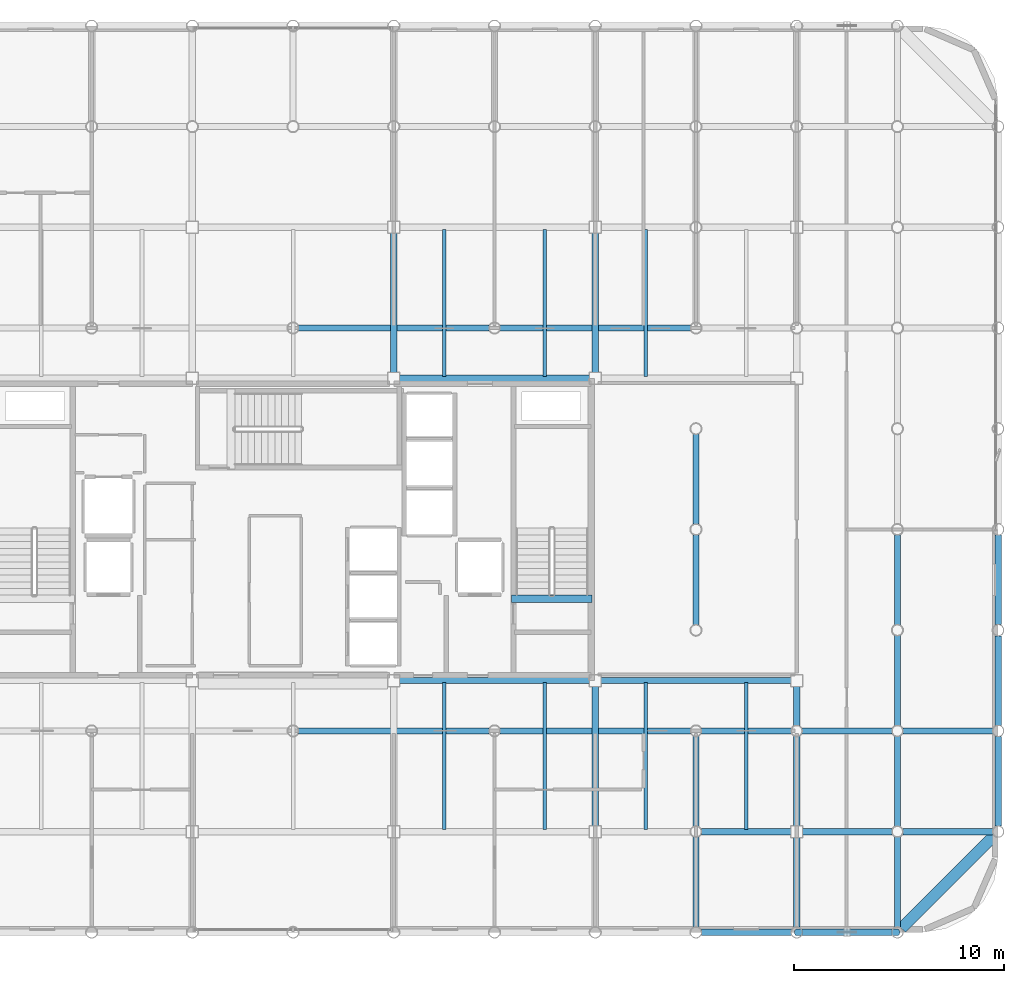
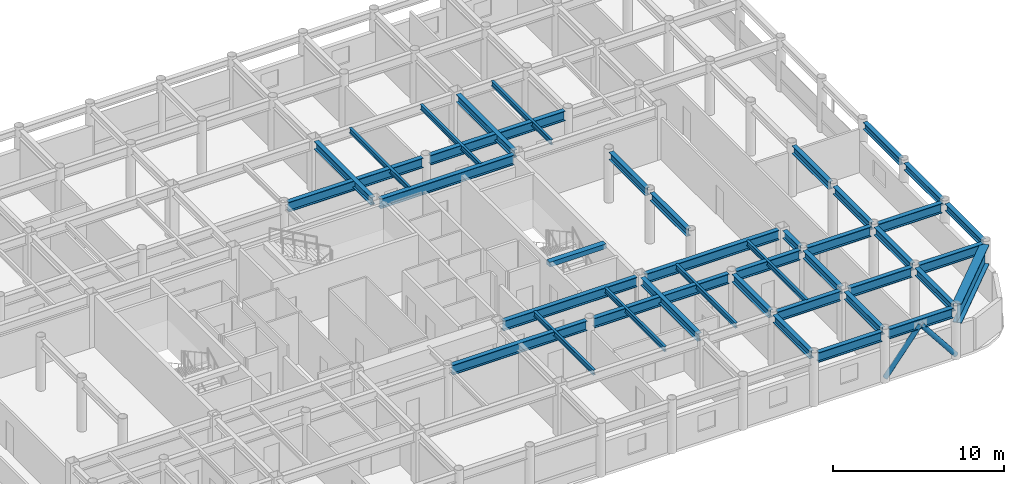
# One storey, part 9 of 22: 41 beams, 2 members.
"""IFC4 building model written with IfcOpenShell, lengths in metres."""

from ifc_helpers import new_model, si_unit, direction, frame, origin, origin_2d, place, context, subcontext, project, spatial, rectangle, hollow_circle, i_section, extrude, material, material_profile, profile_set, type_object, element, save


model = new_model("IFC4")

# Units and contexts
model_context = context("Model", 3, precision=1e-05, world=origin(), true_north=direction((0.0, 1.0)))
body_context = subcontext(model_context, "Body", "Model", "MODEL_VIEW")
ifc_project = project(units=[si_unit("LENGTHUNIT", "METRE"), si_unit("AREAUNIT", "SQUARE_METRE"), si_unit("VOLUMEUNIT", "CUBIC_METRE"), si_unit("PLANEANGLEUNIT", "RADIAN"), si_unit("MASSUNIT", "GRAM", prefix="KILO")], contexts=[model_context])

# Site, building, storey
site_placement = place(None, origin())
site = spatial("IfcSite", under=ifc_project, at=site_placement, CompositionType="ELEMENT")
building_placement = place(site_placement, origin())
building = spatial("IfcBuilding", under=site, at=building_placement, Name="Kallvorn Hotel Tower", CompositionType="ELEMENT")
storey_placement = place(building_placement, frame((0.0, 0.0, 241.550048828125)))
storey = spatial("IfcBuildingStorey", under=building, at=storey_placement, Name="L60", CompositionType="ELEMENT", Elevation=241.550048828125)

# Beams
ifc_material_1 = material(Name="Structural steel S355JR", Category="steel")
ifc_material_profile_1 = material_profile(ifc_material_1, i_section(OverallWidth=0.300048828125, OverallDepth=0.5, WebThickness=0.014404296875, FlangeThickness=0.028076171875, at=origin_2d()), Name="HE 500 B")
ifc_profile_set_1 = profile_set([ifc_material_profile_1], Name="Structural steel S355JR")
beam_type_1 = type_object("IfcBeamType", Name="BM_HE500B", PredefinedType="SPANDREL", material=ifc_profile_set_1)
beam_1_placement = place(storey_placement, frame((33.60009765625, -14.130615234375, 3.419921875), z_axis=(0.0, 1.0, 0.0), x_axis=(-1.0, 0.0, 0.0)))
element("IfcBeam", 1, at=beam_1_placement, inside=storey, type_object=beam_type_1, Name="L61 Perimeter Spandrel 182", PredefinedType="SPANDREL", context=body_context, shape_type="SweptSolid", body=[
    extrude(i_section(OverallWidth=0.300048828125, OverallDepth=0.5, WebThickness=0.014404296875, FlangeThickness=0.028076171875, at=origin_2d()), origin(), (0.0, 0.0, 1.0), 4.26123046875),
])
for number, where, z_axis, x_axis, name in (
    (2, (33.60009765625, -9.33056640625, 3.419921875), (0.0, 1.0, 0.0), (-1.0, 0.0, 0.0), "L61 Perimeter Spandrel 183"),
    (3, (33.60009765625, -4.530517578125, 3.419921875), (0.0, 1.0, 0.0), (-1.0, 0.0, 0.0), "L61 Perimeter Spandrel 184"),
):
    element("IfcBeam", number, at=place(storey_placement, frame(where, z_axis=z_axis, x_axis=x_axis)), inside=storey, type_object=beam_type_1, Name=name, PredefinedType="SPANDREL", context=body_context, shape_type="SweptSolid", body=[
        extrude(i_section(OverallWidth=0.300048828125, OverallDepth=0.5, WebThickness=0.014404296875, FlangeThickness=0.028076171875, at=origin_2d()), origin(), (0.0, 0.0, 1.0), 4.260986328125),
    ])
ifc_material_2 = material(Name="Structural steel S355JR", Category="steel")
ifc_material_profile_2 = material_profile(ifc_material_2, i_section(OverallWidth=0.300048828125, OverallDepth=0.550048828125, WebThickness=0.014892578125, FlangeThickness=0.029052734375, at=origin_2d()), Name="HE 550 B")
ifc_profile_set_2 = profile_set([ifc_material_profile_2], Name="Structural steel S355JR")
beam_type_2 = type_object("IfcBeamType", Name="BM_HE550B", PredefinedType="SPANDREL", material=ifc_profile_set_2)
for number, where, z_axis, x_axis, name in (
    (4, (4.800048828125, 7.47509765625, 3.39501953125), (0.0, 1.0, 0.0), (-1.0, 0.0, 0.0), "L61 Primary Y-Girder 115"),
    (5, (14.39990234375, -14.125, 3.39501953125), (0.0, 1.0, 0.0), (-1.0, 0.0, 0.0), "L61 Primary Y-Girder 122"),
    (6, (14.39990234375, 7.47509765625, 3.39501953125), (0.0, 1.0, 0.0), (-1.0, 0.0, 0.0), "L61 Primary Y-Girder 123"),
):
    element("IfcBeam", number, at=place(storey_placement, frame(where, z_axis=z_axis, x_axis=x_axis)), inside=storey, type_object=beam_type_2, Name=name, PredefinedType="SPANDREL", context=body_context, shape_type="SweptSolid", body=[
        extrude(i_section(OverallWidth=0.300048828125, OverallDepth=0.550048828125, WebThickness=0.014892578125, FlangeThickness=0.029052734375, at=origin_2d()), origin(), (0.0, 0.0, 1.0), 6.64990234375),
    ])
for number, where, z_axis, x_axis, name in (
    (7, (19.199951171875, -18.945556640625, 3.39501953125), (0.0, 1.0, 0.0), (-1.0, 0.0, 0.0), "L61 Primary Y-Girder 126"),
    (8, (19.199951171875, -14.1455078125, 3.39501953125), (0.0, 1.0, 0.0), (-1.0, 0.0, 0.0), "L61 Primary Y-Girder 127"),
    (9, (19.199951171875, -4.54541015625, 3.39501953125), (0.0, 1.0, 0.0), (-1.0, 0.0, 0.0), "L61 Primary Y-Girder 129"),
    (10, (19.199951171875, 0.25439453125, 3.39501953125), (0.0, 1.0, 0.0), (-1.0, 0.0, 0.0), "L61 Primary Y-Girder 130"),
):
    element("IfcBeam", number, at=place(storey_placement, frame(where, z_axis=z_axis, x_axis=x_axis)), inside=storey, type_object=beam_type_2, Name=name, PredefinedType="SPANDREL", context=body_context, shape_type="SweptSolid", body=[
        extrude(i_section(OverallWidth=0.300048828125, OverallDepth=0.550048828125, WebThickness=0.014892578125, FlangeThickness=0.029052734375, at=origin_2d()), origin(), (0.0, 0.0, 1.0), 4.291015625),
    ])
for number, where, z_axis, x_axis, name in (
    (11, (24.0, -18.945556640625, 3.39501953125), (0.0, 1.0, 0.0), (-1.0, 0.0, 0.0), "L61 Primary Y-Girder 135"),
    (12, (24.0, -14.125, 3.39501953125), (0.0, 1.0, 0.0), (-1.0, 0.0, 0.0), "L61 Primary Y-Girder 136"),
):
    element("IfcBeam", number, at=place(storey_placement, frame(where, z_axis=z_axis, x_axis=x_axis)), inside=storey, type_object=beam_type_2, Name=name, PredefinedType="SPANDREL", context=body_context, shape_type="SweptSolid", body=[
        extrude(i_section(OverallWidth=0.300048828125, OverallDepth=0.550048828125, WebThickness=0.014892578125, FlangeThickness=0.029052734375, at=origin_2d()), origin(), (0.0, 0.0, 1.0), 4.2705078125),
    ])
beam_2_placement = place(storey_placement, frame((24.0, -9.345458984375, 3.39501953125), z_axis=(0.0, 1.0, 0.0), x_axis=(-1.0, 0.0, 0.0)))
element("IfcBeam", 13, at=beam_2_placement, inside=storey, type_object=beam_type_2, Name="L61 Primary Y-Girder 137", PredefinedType="SPANDREL", context=body_context, shape_type="SweptSolid", body=[
    extrude(i_section(OverallWidth=0.300048828125, OverallDepth=0.550048828125, WebThickness=0.014892578125, FlangeThickness=0.029052734375, at=origin_2d()), origin(), (0.0, 0.0, 1.0), 1.870361328125),
])
for number, where, z_axis, x_axis, name in (
    (14, (28.800048828125, -18.945556640625, 3.39501953125), (0.0, 1.0, 0.0), (-1.0, 0.0, 0.0), "L61 Primary Y-Girder 142"),
    (15, (28.800048828125, -14.1455078125, 3.39501953125), (0.0, 1.0, 0.0), (-1.0, 0.0, 0.0), "L61 Primary Y-Girder 143"),
    (16, (28.800048828125, -9.345458984375, 3.39501953125), (0.0, 1.0, 0.0), (-1.0, 0.0, 0.0), "L61 Primary Y-Girder 144"),
    (17, (28.800048828125, -4.54541015625, 3.39501953125), (0.0, 1.0, 0.0), (-1.0, 0.0, 0.0), "L61 Primary Y-Girder 145"),
):
    element("IfcBeam", number, at=place(storey_placement, frame(where, z_axis=z_axis, x_axis=x_axis)), inside=storey, type_object=beam_type_2, Name=name, PredefinedType="SPANDREL", context=body_context, shape_type="SweptSolid", body=[
        extrude(i_section(OverallWidth=0.300048828125, OverallDepth=0.550048828125, WebThickness=0.014892578125, FlangeThickness=0.029052734375, at=origin_2d()), origin(), (0.0, 0.0, 1.0), 4.291015625),
    ])
ifc_material_3 = material(Name="Structural steel S355JR", Category="steel")
ifc_material_profile_3 = material_profile(ifc_material_3, i_section(OverallWidth=0.300048828125, OverallDepth=0.699951171875, WebThickness=0.01708984375, FlangeThickness=0.031982421875, at=origin_2d()), Name="HE 700 B")
ifc_profile_set_3 = profile_set([ifc_material_profile_3], Name="Structural steel S355JR")
beam_type_3 = type_object("IfcBeamType", Name="BM_HE700B", PredefinedType="BEAM", material=ifc_profile_set_3)
for number, where, z_axis, x_axis, name in (
    (18, (19.45458984375, -19.199951171875, 3.320068359375), (1.0, 0.0, 0.0), (0.0, 1.0, 0.0), "L61 Primary X-Girder 11"),
    (19, (24.25439453125, -19.199951171875, 3.320068359375), (1.0, 0.0, 0.0), (0.0, 1.0, 0.0), "L61 Primary X-Girder 12"),
):
    element("IfcBeam", number, at=place(storey_placement, frame(where, z_axis=z_axis, x_axis=x_axis)), inside=storey, type_object=beam_type_3, Name=name, PredefinedType="BEAM", context=body_context, shape_type="SweptSolid", body=[
        extrude(i_section(OverallWidth=0.300048828125, OverallDepth=0.699951171875, WebThickness=0.01708984375, FlangeThickness=0.031982421875, at=origin_2d()), origin(), (0.0, 0.0, 1.0), 4.291015625),
    ])
for number, where, z_axis, x_axis, name in (
    (20, (19.45458984375, -14.39990234375, 3.320068359375), (1.0, 0.0, 0.0), (0.0, 1.0, 0.0), "L61 Primary X-Girder 20"),
    (21, (24.27490234375, -14.39990234375, 3.320068359375), (1.0, 0.0, 0.0), (0.0, 1.0, 0.0), "L61 Primary X-Girder 21"),
):
    element("IfcBeam", number, at=place(storey_placement, frame(where, z_axis=z_axis, x_axis=x_axis)), inside=storey, type_object=beam_type_3, Name=name, PredefinedType="BEAM", context=body_context, shape_type="SweptSolid", body=[
        extrude(i_section(OverallWidth=0.300048828125, OverallDepth=0.699951171875, WebThickness=0.01708984375, FlangeThickness=0.031982421875, at=origin_2d()), origin(), (0.0, 0.0, 1.0), 4.2705078125),
    ])
beam_3_placement = place(storey_placement, frame((29.054443359375, -14.39990234375, 3.320068359375), z_axis=(1.0, 0.0, 0.0), x_axis=(0.0, 1.0, 0.0)))
element("IfcBeam", 22, at=beam_3_placement, inside=storey, type_object=beam_type_3, Name="L61 Primary X-Girder 22", PredefinedType="BEAM", context=body_context, shape_type="SweptSolid", body=[
    extrude(i_section(OverallWidth=0.300048828125, OverallDepth=0.699951171875, WebThickness=0.01708984375, FlangeThickness=0.031982421875, at=origin_2d()), origin(), (0.0, 0.0, 1.0), 4.291015625),
])
for number, where, z_axis, x_axis, name in (
    (23, (0.25439453125, -9.60009765625, 3.320068359375), (1.0, 0.0, 0.0), (0.0, 1.0, 0.0), "L61 Primary X-Girder 27"),
    (24, (9.8544921875, -9.60009765625, 3.320068359375), (1.0, 0.0, 0.0), (0.0, 1.0, 0.0), "L61 Primary X-Girder 28"),
):
    element("IfcBeam", number, at=place(storey_placement, frame(where, z_axis=z_axis, x_axis=x_axis)), inside=storey, type_object=beam_type_3, Name=name, PredefinedType="BEAM", context=body_context, shape_type="SweptSolid", body=[
        extrude(i_section(OverallWidth=0.300048828125, OverallDepth=0.699951171875, WebThickness=0.01708984375, FlangeThickness=0.031982421875, at=origin_2d()), origin(), (0.0, 0.0, 1.0), 9.091064453125),
    ])
for number, where, z_axis, x_axis, name in (
    (25, (19.45458984375, -9.60009765625, 3.320068359375), (1.0, 0.0, 0.0), (0.0, 1.0, 0.0), "L61 Primary X-Girder 29"),
    (26, (24.25439453125, -9.60009765625, 3.320068359375), (1.0, 0.0, 0.0), (0.0, 1.0, 0.0), "L61 Primary X-Girder 30"),
    (27, (29.054443359375, -9.60009765625, 3.320068359375), (1.0, 0.0, 0.0), (0.0, 1.0, 0.0), "L61 Primary X-Girder 31"),
):
    element("IfcBeam", number, at=place(storey_placement, frame(where, z_axis=z_axis, x_axis=x_axis)), inside=storey, type_object=beam_type_3, Name=name, PredefinedType="BEAM", context=body_context, shape_type="SweptSolid", body=[
        extrude(i_section(OverallWidth=0.300048828125, OverallDepth=0.699951171875, WebThickness=0.01708984375, FlangeThickness=0.031982421875, at=origin_2d()), origin(), (0.0, 0.0, 1.0), 4.291015625),
    ])
for number, where, z_axis, x_axis, name in (
    (28, (5.074951171875, -7.199951171875, 3.320068359375), (1.0, 0.0, 0.0), (0.0, 1.0, 0.0), "L61 Primary X-Girder 34"),
    (29, (14.675048828125, -7.199951171875, 3.320068359375), (1.0, 0.0, 0.0), (0.0, 1.0, 0.0), "L61 Primary X-Girder 35"),
    (30, (5.074951171875, 7.199951171875, 3.320068359375), (1.0, 0.0, 0.0), (0.0, 1.0, 0.0), "L61 Primary X-Girder 39"),
):
    element("IfcBeam", number, at=place(storey_placement, frame(where, z_axis=z_axis, x_axis=x_axis)), inside=storey, type_object=beam_type_3, Name=name, PredefinedType="BEAM", context=body_context, shape_type="SweptSolid", body=[
        extrude(i_section(OverallWidth=0.300048828125, OverallDepth=0.699951171875, WebThickness=0.01708984375, FlangeThickness=0.031982421875, at=origin_2d()), origin(), (0.0, 0.0, 1.0), 9.050048828125),
    ])
for number, where, z_axis, x_axis, name in (
    (31, (0.25439453125, 9.60009765625, 3.320068359375), (1.0, 0.0, 0.0), (0.0, 1.0, 0.0), "L61 Primary X-Girder 45"),
    (32, (9.8544921875, 9.60009765625, 3.320068359375), (1.0, 0.0, 0.0), (0.0, 1.0, 0.0), "L61 Primary X-Girder 46"),
):
    element("IfcBeam", number, at=place(storey_placement, frame(where, z_axis=z_axis, x_axis=x_axis)), inside=storey, type_object=beam_type_3, Name=name, PredefinedType="BEAM", context=body_context, shape_type="SweptSolid", body=[
        extrude(i_section(OverallWidth=0.300048828125, OverallDepth=0.699951171875, WebThickness=0.01708984375, FlangeThickness=0.031982421875, at=origin_2d()), origin(), (0.0, 0.0, 1.0), 9.091064453125),
    ])
ifc_material_4 = material(Name="Structural steel S355JR", Category="steel")
ifc_material_profile_4 = material_profile(ifc_material_4, i_section(OverallWidth=0.169921875, OverallDepth=0.360107421875, WebThickness=0.008056640625, FlangeThickness=0.0126953125, at=origin_2d()), Name="IPE 360")
ifc_profile_set_4 = profile_set([ifc_material_profile_4], Name="Structural steel S355JR")
beam_type_4 = type_object("IfcBeamType", Name="BM_IPE360", PredefinedType="JOIST", material=ifc_profile_set_4)
for number, where, z_axis, x_axis, name in (
    (33, (7.199951171875, -14.300048828125, 3.489990234375), (0.0, 1.0, 0.0), (-1.0, 0.0, 0.0), "L61 Secondary Composite Joist 202"),
    (34, (7.199951171875, 7.300048828125, 3.489990234375), (0.0, 1.0, 0.0), (-1.0, 0.0, 0.0), "L61 Secondary Composite Joist 203"),
    (35, (12.0, -14.300048828125, 3.489990234375), (0.0, 1.0, 0.0), (-1.0, 0.0, 0.0), "L61 Secondary Composite Joist 204"),
    (36, (12.0, 7.300048828125, 3.489990234375), (0.0, 1.0, 0.0), (-1.0, 0.0, 0.0), "L61 Secondary Composite Joist 205"),
    (37, (16.800048828125, -14.300048828125, 3.489990234375), (0.0, 1.0, 0.0), (-1.0, 0.0, 0.0), "L61 Secondary Composite Joist 206"),
    (38, (16.800048828125, 7.300048828125, 3.489990234375), (0.0, 1.0, 0.0), (-1.0, 0.0, 0.0), "L61 Secondary Composite Joist 207"),
    (39, (21.60009765625, -14.300048828125, 3.489990234375), (0.0, 1.0, 0.0), (-1.0, 0.0, 0.0), "L61 Secondary Composite Joist 208"),
):
    element("IfcBeam", number, at=place(storey_placement, frame(where, z_axis=z_axis, x_axis=x_axis)), inside=storey, type_object=beam_type_4, Name=name, PredefinedType="JOIST", context=body_context, shape_type="SweptSolid", body=[
        extrude(i_section(OverallWidth=0.169921875, OverallDepth=0.360107421875, WebThickness=0.008056640625, FlangeThickness=0.0126953125, at=origin_2d()), origin(), (0.0, 0.0, 1.0), 7.0),
    ])
ifc_material_5 = material(Name="Structural steel S355JR", Category="steel")
ifc_material_profile_5 = material_profile(ifc_material_5, i_section(OverallWidth=0.550048828125, OverallDepth=1.39990234375, WebThickness=0.02490234375, FlangeThickness=0.044921875, at=origin_2d()), Name="PG 1400x550x25x45")
ifc_profile_set_5 = profile_set([ifc_material_profile_5], Name="Structural steel S355JR")
beam_type_5 = type_object("IfcBeamType", Name="BM_PG_1400", PredefinedType="BEAM", material=ifc_profile_set_5)
beam_4_placement = place(storey_placement, frame((33.409423828125, -14.590576171875, 2.969970703125), z_axis=(-0.707106781187, -0.707106781187, 0.0), x_axis=(0.707106781187, -0.707106781187, 0.0)))
element("IfcBeam", 40, at=beam_4_placement, inside=storey, type_object=beam_type_5, Name="L61 Rounded Corner Tie Beam 190", PredefinedType="BEAM", context=body_context, shape_type="SweptSolid", body=[
    extrude(i_section(OverallWidth=0.550048828125, OverallDepth=1.39990234375, WebThickness=0.02490234375, FlangeThickness=0.044921875, at=origin_2d()), origin(), (0.0, 0.0, 1.0), 6.249267578125),
])
ifc_material_6 = material(Name="Concrete C50/60", Category="concrete")
ifc_material_profile_6 = material_profile(ifc_material_6, rectangle(XDim=0.360107421875, YDim=0.340087890625, at=origin_2d()), Name="RC 360x340")
ifc_profile_set_6 = profile_set([ifc_material_profile_6], Name="Concrete C50/60")
beam_type_6 = type_object("IfcBeamType", Name="BM_RC_400x360", PredefinedType="BEAM", material=ifc_profile_set_6)
beam_5_placement = place(storey_placement, frame((14.239990234375, -3.31005859375, 3.5), z_axis=(-1.0, 0.0, 0.0), x_axis=(0.0, -1.0, 0.0)))
element("IfcBeam", 41, at=beam_5_placement, inside=storey, type_object=beam_type_6, Name="L61 Stair ST2 Arrival Trimmer Beam", PredefinedType="BEAM", context=body_context, shape_type="SweptSolid", body=[
    extrude(rectangle(XDim=0.360107421875, YDim=0.340087890625, at=origin_2d()), origin(), (0.0, 0.0, 1.0), 3.820068359375),
])

# Members
ifc_material_7 = material(Name="Structural steel S355J2H", Category="steel")
ifc_material_profile_7 = material_profile(ifc_material_7, hollow_circle(Radius=0.161865234375, WallThickness=0.012451171875, at=origin_2d()), Name="CHS 323.9x12.5")
ifc_profile_set_7 = profile_set([ifc_material_profile_7], Name="Structural steel S355J2H")
member_type = type_object("IfcMemberType", Name="MBR_EXO_CHS323", PredefinedType="BRACE", material=ifc_profile_set_7)
for number, where, z_axis, x_axis, name in (
    (42, (24.012451171875, -19.199951171875, 0.195556640625), (0.62089744796, 0.0, 0.783891803196), (0.0, 1.0, 0.0), "L60 Exoskeleton K-Brace S2A"),
    (43, (28.78759765625, -19.199951171875, 0.195556640625), (-0.62089744796, 0.0, 0.783891803196), (0.0, -1.0, 0.0), "L60 Exoskeleton K-Brace S2B"),
):
    element("IfcMember", number, at=place(storey_placement, frame(where, z_axis=z_axis, x_axis=x_axis)), inside=storey, type_object=member_type, Name=name, PredefinedType="BRACE", context=body_context, shape_type="SweptSolid", body=[
        extrude(hollow_circle(Radius=0.161865234375, WallThickness=0.012451171875, at=origin_2d()), origin(), (0.0, 0.0, 1.0), 3.825439453125),
    ])

save(model, "model.ifc")
